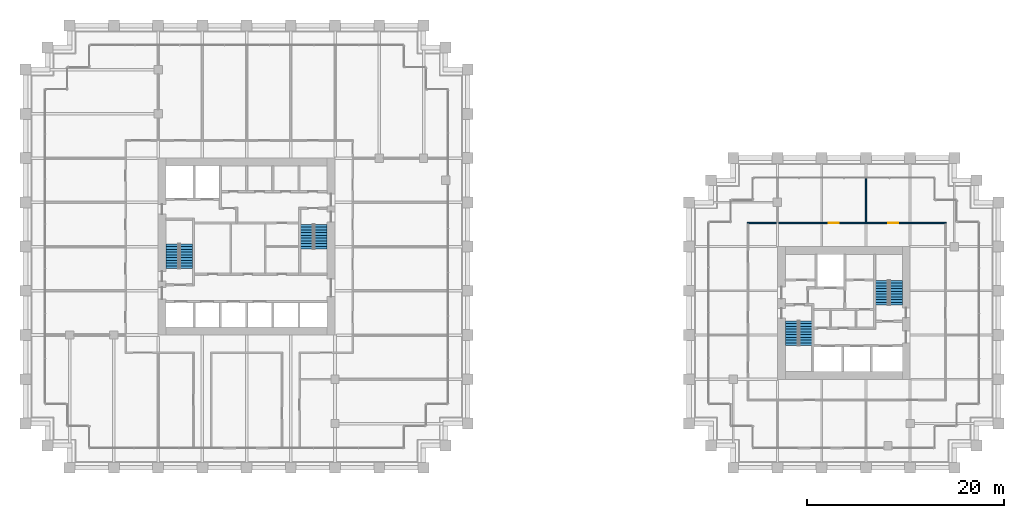
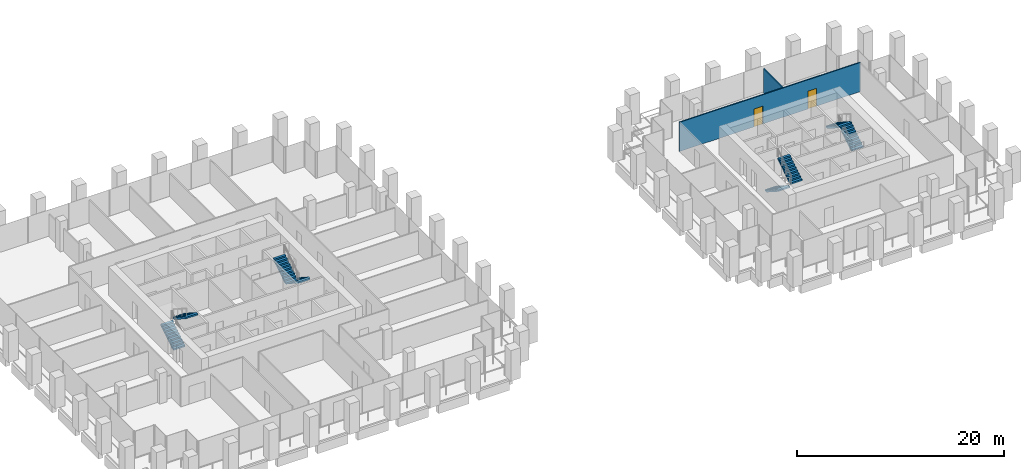
# One storey, part 54 of 56: 8 stair flights, 2 doors, 2 walls, 2 openings, 4 elements without a shape of their own.
"""IFC4 building model written with IfcOpenShell, lengths in metres."""

from ifc_helpers import new_model, si_unit, direction, frame, frame_2d, origin, place, context, subcontext, project, spatial, polyline, rectangle, outline, extrude, material, layer, layer_set, type_object, element, fill, aggregate, save


model = new_model("IFC4")

# Units and contexts
model_context = context("Model", 3, precision=1e-05, world=origin(), true_north=direction((0.0, 1.0)))
body_context = subcontext(model_context, "Body", "Model", "MODEL_VIEW")
ifc_project = project(units=[si_unit("LENGTHUNIT", "METRE"), si_unit("AREAUNIT", "SQUARE_METRE"), si_unit("VOLUMEUNIT", "CUBIC_METRE"), si_unit("PLANEANGLEUNIT", "RADIAN"), si_unit("MASSUNIT", "GRAM", prefix="KILO")], contexts=[model_context])

# Site, building, storey
site_placement = place(None, origin())
site = spatial("IfcSite", under=ifc_project, at=site_placement, CompositionType="ELEMENT")
building_placement = place(site_placement, origin())
building = spatial("IfcBuilding", under=site, at=building_placement, Name="Altepetl Exchange Towers", CompositionType="ELEMENT")
storey_placement = place(building_placement, frame((0.0, 0.0, 76.199951171875)))
storey = spatial("IfcBuildingStorey", under=building, at=storey_placement, Name="L18", CompositionType="ELEMENT", Elevation=76.199951171875)

# Wall, openings, doors
ifc_material_1 = material(Name="Gypsum board on steel studs", Category="steel")
ifc_layer = layer(ifc_material_1, 0.125)
ifc_layer_set = layer_set([ifc_layer], Name="Gypsum board on steel studs")
wall_type = type_object("IfcWallType", Name="Partition 125 gypsum board on steel studs", PredefinedType="PARTITIONING", material=ifc_layer_set)
wall_1_placement = place(storey_placement, frame((100.4375, 51.89990234375, 0.0)))
wall_1 = element("IfcWall", 1, at=wall_1_placement, inside=storey, type_object=wall_type, Name="wall:B:L18:P06", PredefinedType="PARTITIONING", context=body_context, shape_type="SweptSolid", body=[
    extrude(rectangle(XDim=20.22509765625, YDim=0.125, at=frame_2d((10.112548828125, 0.0))), origin(), (0.0, 0.0, 1.0), 3.449951171875),
])
opening_1_placement = place(wall_1_placement, frame((14.33251953125, 0.0, 0.0)))
opening_1 = element("IfcOpeningElement", 2, at=opening_1_placement, cuts=wall_1, Name="Opening L18.B05", PredefinedType="OPENING", context=body_context, shape_type="SweptSolid", body=[
    extrude(rectangle(XDim=1.0, YDim=2.10009765625, at=frame_2d((0.5, 1.050048828125))), frame((0.0, 0.072509765625, 0.0), z_axis=(0.0, -1.0, 0.0), x_axis=(1.0, 0.0, 0.0)), (0.0, 0.0, 1.0), 0.14501953125),
])
opening_2_placement = place(wall_1_placement, frame((8.305419921875, 0.0, 0.0)))
opening_2 = element("IfcOpeningElement", 3, at=opening_2_placement, cuts=wall_1, Name="Opening L18.B06", PredefinedType="OPENING", context=body_context, shape_type="SweptSolid", body=[
    extrude(rectangle(XDim=1.0, YDim=2.10009765625, at=frame_2d((0.5, 1.050048828125))), frame((0.0, 0.072509765625, 0.0), z_axis=(0.0, -1.0, 0.0), x_axis=(1.0, 0.0, 0.0)), (0.0, 0.0, 1.0), 0.14501953125),
])
ifc_material_2 = material(Name="Steel and timber fire door", Category="steel")
door_type = type_object("IfcDoorType", Name="Fire door 1000 x 2100 single leaf", OperationType="SINGLE_SWING_LEFT", PredefinedType="DOOR", material=ifc_material_2)
door_1_placement = place(opening_1_placement, frame((1.0, 0.0, 0.0), x_axis=(-1.0, 0.0, 0.0)))
door_1 = element("IfcDoor", 4, at=door_1_placement, inside=storey, type_object=door_type, Name="door:B:L18:05", OperationType="SINGLE_SWING_LEFT", OverallHeight=2.10009765625, OverallWidth=1.0, PredefinedType="DOOR", context=body_context, shape_type="SweptSolid", body=[
    extrude(rectangle(XDim=1.0, YDim=2.10009765625, at=frame_2d((0.5, 1.050048828125))), frame((0.0, 0.02490234375, 0.0), z_axis=(0.0, -1.0, 0.0), x_axis=(1.0, 0.0, 0.0)), (0.0, 0.0, 1.0), 0.050048828125),
])
fill(opening_1, door_1)
door_2_placement = place(opening_2_placement, origin())
door_2 = element("IfcDoor", 5, at=door_2_placement, inside=storey, type_object=door_type, Name="door:B:L18:06", OperationType="SINGLE_SWING_RIGHT", OverallHeight=2.10009765625, OverallWidth=1.0, PredefinedType="DOOR", context=body_context, shape_type="SweptSolid", body=[
    extrude(rectangle(XDim=1.0, YDim=2.10009765625, at=frame_2d((0.5, 1.050048828125))), frame((0.0, 0.02490234375, 0.0), z_axis=(0.0, -1.0, 0.0), x_axis=(1.0, 0.0, 0.0)), (0.0, 0.0, 1.0), 0.050048828125),
])
fill(opening_2, door_2)

# Wall
wall_2_placement = place(storey_placement, frame((112.5, 51.89990234375, 0.0), z_axis=(0.0, 0.0, 1.0), x_axis=(0.0, 1.0, 0.0)))
element("IfcWall", 6, at=wall_2_placement, inside=storey, type_object=wall_type, Name="wall:B:L18:P12", PredefinedType="PARTITIONING", context=body_context, shape_type="SweptSolid", body=[
    extrude(rectangle(XDim=4.5, YDim=0.125, at=frame_2d((2.25, 0.0))), origin(), (0.0, 0.0, 1.0), 2.85107421875),
])

# Stair, stair flights
ifc_material_3 = material(Name="Concrete C40/50", Category="concrete")
stair_type = type_object("IfcStairType", Name="Exit stair 1300 flights dogleg", PredefinedType="HALF_TURN_STAIR", material=ifc_material_3)
stair_1_placement = place(storey_placement, origin())
stair_1 = element("IfcStair", 7, at=stair_1_placement, inside=storey, type_object=stair_type, Name="Exit stair 1", PredefinedType="HALF_TURN_STAIR")
stair_flight_type = type_object("IfcStairFlightType", Name="Stair flight 1300 wide", PredefinedType="STRAIGHT", material=ifc_material_3)
stair_flight_1_placement = place(storey_placement, frame((41.949951171875, 47.25, 0.0), z_axis=(0.0, 0.0, 1.0), x_axis=(0.0, 1.0, 0.0)))
stair_flight_1 = element("IfcStairFlight", 8, at=stair_flight_1_placement, type_object=stair_flight_type, Name="ST-A1c flight 1", NumberOfRisers=10, NumberOfTreads=9, PredefinedType="STRAIGHT", RiserHeight=0.18, TreadLength=0.28, context=body_context, shape_type="SweptSolid", body=[
    extrude(outline(polyline([(0.0, 0.0), (0.0, 0.179931640625), (0.280029296875, 0.179931640625), (0.280029296875, 0.360107421875), (0.56005859375, 0.360107421875), (0.56005859375, 0.5400390625), (0.840087890625, 0.5400390625), (0.840087890625, 0.719970703125), (1.1201171875, 0.719970703125), (1.1201171875, 0.89990234375), (1.39990234375, 0.89990234375), (1.39990234375, 1.080078125), (1.679931640625, 1.080078125), (1.679931640625, 1.260009765625), (1.9599609375, 1.260009765625), (1.9599609375, 1.43994140625), (2.239990234375, 1.43994140625), (2.239990234375, 1.6201171875), (2.52001953125, 1.6201171875), (2.52001953125, 1.800048828125), (2.52001953125, 1.44189453125), (0.277099609375, 0.0), (0.0, 0.0)])), frame((0.0, 0.64990234375, 0.0), z_axis=(0.0, -1.0, 0.0), x_axis=(1.0, 0.0, 0.0)), (0.0, 0.0, 1.0), 1.300048828125),
])
stair_flight_2_placement = place(storey_placement, frame((43.35009765625, 49.77001953125, 1.800048828125), z_axis=(0.0, 0.0, 1.0), x_axis=(0.0, -1.0, 0.0)))
stair_flight_2 = element("IfcStairFlight", 9, at=stair_flight_2_placement, type_object=stair_flight_type, Name="ST-A1c flight 2", NumberOfRisers=10, NumberOfTreads=9, PredefinedType="STRAIGHT", RiserHeight=0.18, TreadLength=0.28, context=body_context, shape_type="SweptSolid", body=[
    extrude(outline(polyline([(0.0, 0.0), (0.0, 0.179931640625), (0.280029296875, 0.179931640625), (0.280029296875, 0.360107421875), (0.56005859375, 0.360107421875), (0.56005859375, 0.5400390625), (0.840087890625, 0.5400390625), (0.840087890625, 0.719970703125), (1.1201171875, 0.719970703125), (1.1201171875, 0.89990234375), (1.39990234375, 0.89990234375), (1.39990234375, 1.080078125), (1.679931640625, 1.080078125), (1.679931640625, 1.260009765625), (1.9599609375, 1.260009765625), (1.9599609375, 1.43994140625), (2.239990234375, 1.43994140625), (2.239990234375, 1.6201171875), (2.52001953125, 1.6201171875), (2.52001953125, 1.800048828125), (2.52001953125, 1.44189453125), (0.277099609375, 0.0), (0.0, 0.0)])), frame((0.0, 0.64990234375, 0.0), z_axis=(0.0, -1.0, 0.0), x_axis=(1.0, 0.0, 0.0)), (0.0, 0.0, 1.0), 1.300048828125),
])
aggregate(stair_1, [stair_flight_1, stair_flight_2])

stair_2_placement = place(storey_placement, origin())
stair_2 = element("IfcStair", 10, at=stair_2_placement, inside=storey, type_object=stair_type, Name="Exit stair 2", PredefinedType="HALF_TURN_STAIR")
stair_flight_3_placement = place(storey_placement, frame((57.050048828125, 51.75, 0.0), z_axis=(0.0, 0.0, 1.0), x_axis=(0.0, -1.0, 0.0)))
stair_flight_3 = element("IfcStairFlight", 11, at=stair_flight_3_placement, type_object=stair_flight_type, Name="ST-A2c flight 1", NumberOfRisers=10, NumberOfTreads=9, PredefinedType="STRAIGHT", RiserHeight=0.18, TreadLength=0.28, context=body_context, shape_type="SweptSolid", body=[
    extrude(outline(polyline([(0.0, 0.0), (0.0, 0.179931640625), (0.280029296875, 0.179931640625), (0.280029296875, 0.360107421875), (0.56005859375, 0.360107421875), (0.56005859375, 0.5400390625), (0.840087890625, 0.5400390625), (0.840087890625, 0.719970703125), (1.1201171875, 0.719970703125), (1.1201171875, 0.89990234375), (1.39990234375, 0.89990234375), (1.39990234375, 1.080078125), (1.679931640625, 1.080078125), (1.679931640625, 1.260009765625), (1.9599609375, 1.260009765625), (1.9599609375, 1.43994140625), (2.239990234375, 1.43994140625), (2.239990234375, 1.6201171875), (2.52001953125, 1.6201171875), (2.52001953125, 1.800048828125), (2.52001953125, 1.44189453125), (0.277099609375, 0.0), (0.0, 0.0)])), frame((0.0, 0.64990234375, 0.0), z_axis=(0.0, -1.0, 0.0), x_axis=(1.0, 0.0, 0.0)), (0.0, 0.0, 1.0), 1.300048828125),
])
stair_flight_4_placement = place(storey_placement, frame((55.64990234375, 49.22998046875, 1.800048828125), z_axis=(0.0, 0.0, 1.0), x_axis=(0.0, 1.0, 0.0)))
stair_flight_4 = element("IfcStairFlight", 12, at=stair_flight_4_placement, type_object=stair_flight_type, Name="ST-A2c flight 2", NumberOfRisers=10, NumberOfTreads=9, PredefinedType="STRAIGHT", RiserHeight=0.18, TreadLength=0.28, context=body_context, shape_type="SweptSolid", body=[
    extrude(outline(polyline([(0.0, 0.0), (0.0, 0.179931640625), (0.280029296875, 0.179931640625), (0.280029296875, 0.360107421875), (0.56005859375, 0.360107421875), (0.56005859375, 0.5400390625), (0.840087890625, 0.5400390625), (0.840087890625, 0.719970703125), (1.1201171875, 0.719970703125), (1.1201171875, 0.89990234375), (1.39990234375, 0.89990234375), (1.39990234375, 1.080078125), (1.679931640625, 1.080078125), (1.679931640625, 1.260009765625), (1.9599609375, 1.260009765625), (1.9599609375, 1.43994140625), (2.239990234375, 1.43994140625), (2.239990234375, 1.6201171875), (2.52001953125, 1.6201171875), (2.52001953125, 1.800048828125), (2.52001953125, 1.44189453125), (0.277099609375, 0.0), (0.0, 0.0)])), frame((0.0, 0.64990234375, 0.0), z_axis=(0.0, -1.0, 0.0), x_axis=(1.0, 0.0, 0.0)), (0.0, 0.0, 1.0), 1.300048828125),
])
aggregate(stair_2, [stair_flight_3, stair_flight_4])

stair_3_placement = place(storey_placement, origin())
stair_3 = element("IfcStair", 13, at=stair_3_placement, inside=storey, type_object=stair_type, Name="Exit stair 1", PredefinedType="HALF_TURN_STAIR")
stair_flight_5_placement = place(storey_placement, frame((104.949951171875, 41.949951171875, 0.0), z_axis=(0.0, 0.0, 1.0), x_axis=(0.0, -1.0, 0.0)))
stair_flight_5 = element("IfcStairFlight", 14, at=stair_flight_5_placement, type_object=stair_flight_type, Name="ST-B1c flight 1", NumberOfRisers=10, NumberOfTreads=9, PredefinedType="STRAIGHT", RiserHeight=0.18, TreadLength=0.28, context=body_context, shape_type="SweptSolid", body=[
    extrude(outline(polyline([(0.0, 0.0), (0.0, 0.179931640625), (0.280029296875, 0.179931640625), (0.280029296875, 0.360107421875), (0.56005859375, 0.360107421875), (0.56005859375, 0.5400390625), (0.840087890625, 0.5400390625), (0.840087890625, 0.719970703125), (1.1201171875, 0.719970703125), (1.1201171875, 0.89990234375), (1.39990234375, 0.89990234375), (1.39990234375, 1.080078125), (1.679931640625, 1.080078125), (1.679931640625, 1.260009765625), (1.9599609375, 1.260009765625), (1.9599609375, 1.43994140625), (2.239990234375, 1.43994140625), (2.239990234375, 1.6201171875), (2.52001953125, 1.6201171875), (2.52001953125, 1.800048828125), (2.52001953125, 1.44189453125), (0.277099609375, 0.0), (0.0, 0.0)])), frame((0.0, 0.64990234375, 0.0), z_axis=(0.0, -1.0, 0.0), x_axis=(1.0, 0.0, 0.0)), (0.0, 0.0, 1.0), 1.300048828125),
])
stair_flight_6_placement = place(storey_placement, frame((106.35009765625, 39.429931640625, 1.800048828125), z_axis=(0.0, 0.0, 1.0), x_axis=(0.0, 1.0, 0.0)))
stair_flight_6 = element("IfcStairFlight", 15, at=stair_flight_6_placement, type_object=stair_flight_type, Name="ST-B1c flight 2", NumberOfRisers=10, NumberOfTreads=9, PredefinedType="STRAIGHT", RiserHeight=0.18, TreadLength=0.28, context=body_context, shape_type="SweptSolid", body=[
    extrude(outline(polyline([(0.0, 0.0), (0.0, 0.179931640625), (0.280029296875, 0.179931640625), (0.280029296875, 0.360107421875), (0.56005859375, 0.360107421875), (0.56005859375, 0.5400390625), (0.840087890625, 0.5400390625), (0.840087890625, 0.719970703125), (1.1201171875, 0.719970703125), (1.1201171875, 0.89990234375), (1.39990234375, 0.89990234375), (1.39990234375, 1.080078125), (1.679931640625, 1.080078125), (1.679931640625, 1.260009765625), (1.9599609375, 1.260009765625), (1.9599609375, 1.43994140625), (2.239990234375, 1.43994140625), (2.239990234375, 1.6201171875), (2.52001953125, 1.6201171875), (2.52001953125, 1.800048828125), (2.52001953125, 1.44189453125), (0.277099609375, 0.0), (0.0, 0.0)])), frame((0.0, 0.64990234375, 0.0), z_axis=(0.0, -1.0, 0.0), x_axis=(1.0, 0.0, 0.0)), (0.0, 0.0, 1.0), 1.300048828125),
])
aggregate(stair_3, [stair_flight_5, stair_flight_6])

stair_4_placement = place(storey_placement, origin())
stair_4 = element("IfcStair", 16, at=stair_4_placement, inside=storey, type_object=stair_type, Name="Exit stair 2", PredefinedType="HALF_TURN_STAIR")
stair_flight_7_placement = place(storey_placement, frame((115.550048828125, 43.550048828125, 0.0), z_axis=(0.0, 0.0, 1.0), x_axis=(0.0, 1.0, 0.0)))
stair_flight_7 = element("IfcStairFlight", 17, at=stair_flight_7_placement, type_object=stair_flight_type, Name="ST-B2c flight 1", NumberOfRisers=10, NumberOfTreads=9, PredefinedType="STRAIGHT", RiserHeight=0.18, TreadLength=0.28, context=body_context, shape_type="SweptSolid", body=[
    extrude(outline(polyline([(0.0, 0.0), (0.0, 0.179931640625), (0.280029296875, 0.179931640625), (0.280029296875, 0.360107421875), (0.56005859375, 0.360107421875), (0.56005859375, 0.5400390625), (0.840087890625, 0.5400390625), (0.840087890625, 0.719970703125), (1.1201171875, 0.719970703125), (1.1201171875, 0.89990234375), (1.39990234375, 0.89990234375), (1.39990234375, 1.080078125), (1.679931640625, 1.080078125), (1.679931640625, 1.260009765625), (1.9599609375, 1.260009765625), (1.9599609375, 1.43994140625), (2.239990234375, 1.43994140625), (2.239990234375, 1.6201171875), (2.52001953125, 1.6201171875), (2.52001953125, 1.800048828125), (2.52001953125, 1.44189453125), (0.277099609375, 0.0), (0.0, 0.0)])), frame((0.0, 0.64990234375, 0.0), z_axis=(0.0, -1.0, 0.0), x_axis=(1.0, 0.0, 0.0)), (0.0, 0.0, 1.0), 1.300048828125),
])
stair_flight_8_placement = place(storey_placement, frame((114.14990234375, 46.070068359375, 1.800048828125), z_axis=(0.0, 0.0, 1.0), x_axis=(0.0, -1.0, 0.0)))
stair_flight_8 = element("IfcStairFlight", 18, at=stair_flight_8_placement, type_object=stair_flight_type, Name="ST-B2c flight 2", NumberOfRisers=10, NumberOfTreads=9, PredefinedType="STRAIGHT", RiserHeight=0.18, TreadLength=0.28, context=body_context, shape_type="SweptSolid", body=[
    extrude(outline(polyline([(0.0, 0.0), (0.0, 0.179931640625), (0.280029296875, 0.179931640625), (0.280029296875, 0.360107421875), (0.56005859375, 0.360107421875), (0.56005859375, 0.5400390625), (0.840087890625, 0.5400390625), (0.840087890625, 0.719970703125), (1.1201171875, 0.719970703125), (1.1201171875, 0.89990234375), (1.39990234375, 0.89990234375), (1.39990234375, 1.080078125), (1.679931640625, 1.080078125), (1.679931640625, 1.260009765625), (1.9599609375, 1.260009765625), (1.9599609375, 1.43994140625), (2.239990234375, 1.43994140625), (2.239990234375, 1.6201171875), (2.52001953125, 1.6201171875), (2.52001953125, 1.800048828125), (2.52001953125, 1.44189453125), (0.277099609375, 0.0), (0.0, 0.0)])), frame((0.0, 0.64990234375, 0.0), z_axis=(0.0, -1.0, 0.0), x_axis=(1.0, 0.0, 0.0)), (0.0, 0.0, 1.0), 1.300048828125),
])
aggregate(stair_4, [stair_flight_7, stair_flight_8])

save(model, "model.ifc")
